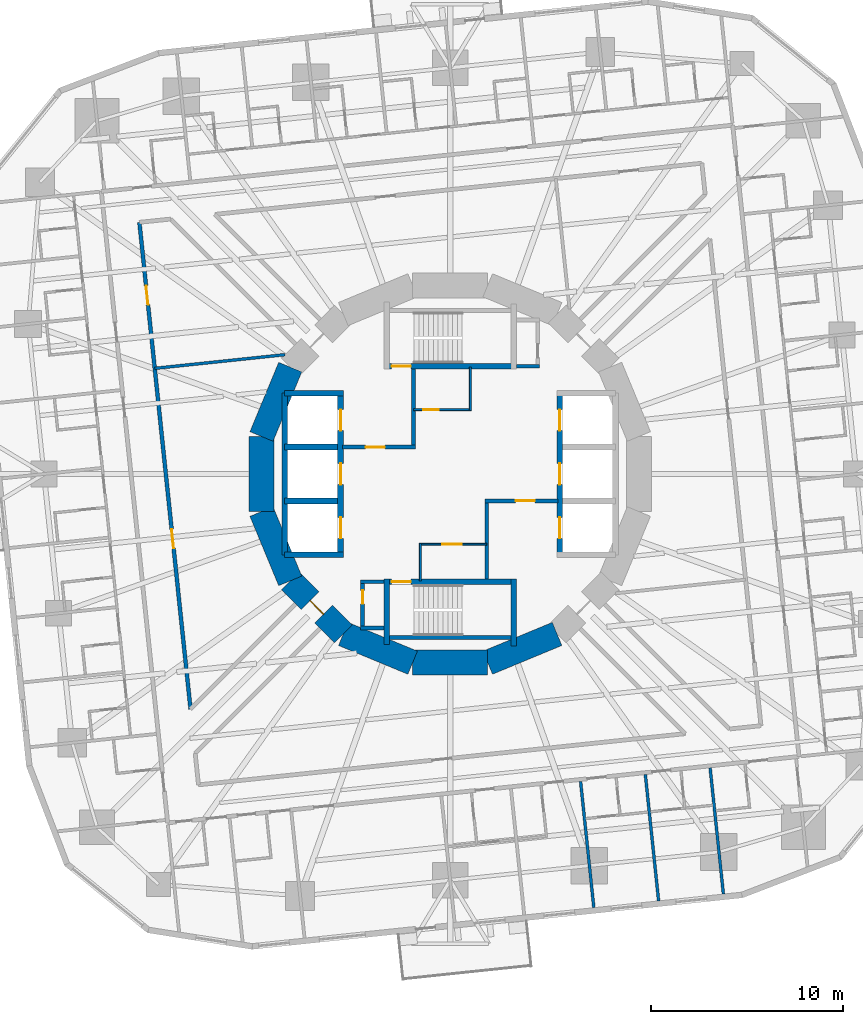
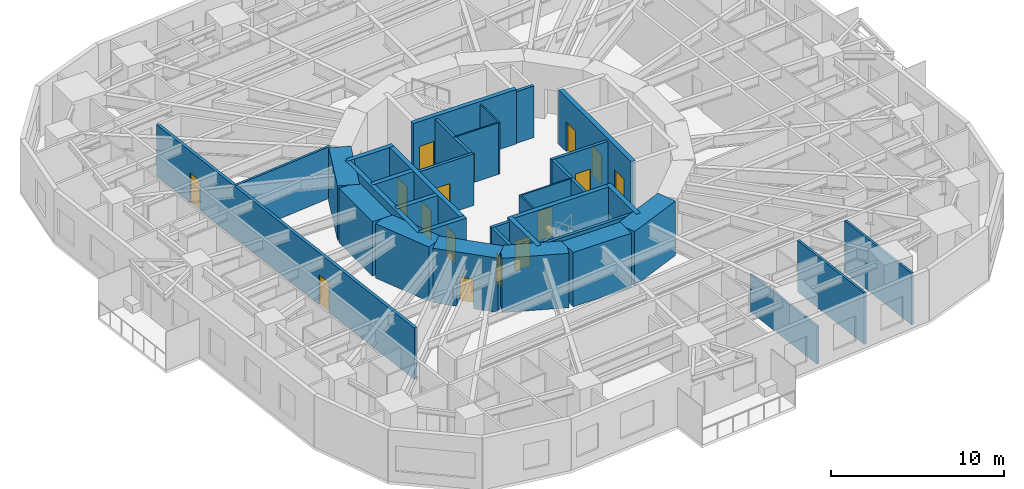
# One storey, part 7 of 15: 36 walls, 16 doors, 16 openings.
"""IFC4 building model written with IfcOpenShell, lengths in metres."""

from ifc_helpers import new_model, si_unit, direction, frame, frame_2d, origin, place, context, subcontext, project, spatial, rectangle, extrude, material, layer, layer_set, type_object, element, fill, save


model = new_model("IFC4")

# Units and contexts
model_context = context("Model", 3, precision=1e-05, world=origin(), true_north=direction((0.0, 1.0)))
body_context = subcontext(model_context, "Body", "Model", "MODEL_VIEW")
ifc_project = project(units=[si_unit("LENGTHUNIT", "METRE"), si_unit("AREAUNIT", "SQUARE_METRE"), si_unit("VOLUMEUNIT", "CUBIC_METRE"), si_unit("PLANEANGLEUNIT", "RADIAN"), si_unit("MASSUNIT", "GRAM", prefix="KILO")], contexts=[model_context])

# Site, building, storey
site_placement = place(None, origin())
site = spatial("IfcSite", under=ifc_project, at=site_placement, CompositionType="ELEMENT")
building_placement = place(site_placement, origin())
building = spatial("IfcBuilding", under=site, at=building_placement, Name="Nakasero Lantern House", CompositionType="ELEMENT")
storey_placement = place(building_placement, frame((0.0, 0.0, 72.050048828125)))
storey = spatial("IfcBuildingStorey", under=building, at=storey_placement, Name="L17", CompositionType="ELEMENT", Elevation=72.050048828125)

# Wall, openings, doors
ifc_material_1 = material(Name="Concrete C50/60", Category="concrete")
ifc_layer_1 = layer(ifc_material_1, 0.300048828125)
ifc_layer_set_1 = layer_set([ifc_layer_1], Name="Core inner wall 300")
wall_type_1 = type_object("IfcWallType", Name="Core inner wall 300", PredefinedType="SHEAR", material=ifc_layer_set_1)
wall_1_placement = place(storey_placement, frame((-5.699951171875, -4.199951171875, 0.0), z_axis=(0.0, 0.0, 1.0), x_axis=(0.0, 1.0, 0.0)))
wall_1 = element("IfcWall", 1, at=wall_1_placement, inside=storey, type_object=wall_type_1, Name="Core inner wall L17 LW", PredefinedType="SHEAR", context=body_context, shape_type="SweptSolid", body=[
    extrude(rectangle(XDim=8.39990234375, YDim=0.300048828125, at=frame_2d((4.199951171875, 0.0))), origin(), (0.0, 0.0, 1.0), 3.849853515625),
])
opening_1_placement = place(wall_1_placement, frame((0.85009765625, 0.0, 0.0)))
opening_1 = element("IfcOpeningElement", 2, at=opening_1_placement, cuts=wall_1, Name="Opening LD", PredefinedType="OPENING", context=body_context, shape_type="SweptSolid", body=[
    extrude(rectangle(XDim=1.10009765625, YDim=2.10009765625, at=frame_2d((0.550048828125, 1.050048828125))), frame((0.0, 0.169921875, 0.0), z_axis=(0.0, -1.0, 0.0), x_axis=(1.0, 0.0, 0.0)), (0.0, 0.0, 1.0), 0.340087890625),
])
opening_2_placement = place(wall_1_placement, frame((3.64990234375, 0.0, 0.0)))
opening_2 = element("IfcOpeningElement", 3, at=opening_2_placement, cuts=wall_1, Name="Opening LD", PredefinedType="OPENING", context=body_context, shape_type="SweptSolid", body=[
    extrude(rectangle(XDim=1.10009765625, YDim=2.10009765625, at=frame_2d((0.550048828125, 1.050048828125))), frame((0.0, 0.169921875, 0.0), z_axis=(0.0, -1.0, 0.0), x_axis=(1.0, 0.0, 0.0)), (0.0, 0.0, 1.0), 0.340087890625),
])
opening_3_placement = place(wall_1_placement, frame((6.449951171875, 0.0, 0.0)))
opening_3 = element("IfcOpeningElement", 4, at=opening_3_placement, cuts=wall_1, Name="Opening LD", PredefinedType="OPENING", context=body_context, shape_type="SweptSolid", body=[
    extrude(rectangle(XDim=1.10009765625, YDim=2.10009765625, at=frame_2d((0.550048828125, 1.050048828125))), frame((0.0, 0.169921875, 0.0), z_axis=(0.0, -1.0, 0.0), x_axis=(1.0, 0.0, 0.0)), (0.0, 0.0, 1.0), 0.340087890625),
])
ifc_material_2 = material(Name="Steel S355", Category="steel")
door_type_1 = type_object("IfcDoorType", Name="Lift landing door E120 1100", OperationType="SLIDING_TO_LEFT", PredefinedType="DOOR", material=ifc_material_2)
door_1_placement = place(opening_1_placement, origin())
door_1 = element("IfcDoor", 5, at=door_1_placement, inside=storey, type_object=door_type_1, Name="Lift landing door LW1", OperationType="SLIDING_TO_LEFT", OverallHeight=2.10009765625, OverallWidth=1.10009765625, PredefinedType="DOOR", context=body_context, shape_type="SweptSolid", body=[
    extrude(rectangle(XDim=1.10009765625, YDim=2.10009765625, at=frame_2d((0.550048828125, 1.050048828125))), frame((0.0, 0.02490234375, 0.0), z_axis=(0.0, -1.0, 0.0), x_axis=(1.0, 0.0, 0.0)), (0.0, 0.0, 1.0), 0.050048828125),
])
fill(opening_1, door_1)
door_2_placement = place(opening_2_placement, origin())
door_2 = element("IfcDoor", 6, at=door_2_placement, inside=storey, type_object=door_type_1, Name="Lift landing door LW2", OperationType="SLIDING_TO_LEFT", OverallHeight=2.10009765625, OverallWidth=1.10009765625, PredefinedType="DOOR", context=body_context, shape_type="SweptSolid", body=[
    extrude(rectangle(XDim=1.10009765625, YDim=2.10009765625, at=frame_2d((0.550048828125, 1.050048828125))), frame((0.0, 0.02490234375, 0.0), z_axis=(0.0, -1.0, 0.0), x_axis=(1.0, 0.0, 0.0)), (0.0, 0.0, 1.0), 0.050048828125),
])
fill(opening_2, door_2)
door_3_placement = place(opening_3_placement, origin())
door_3 = element("IfcDoor", 7, at=door_3_placement, inside=storey, type_object=door_type_1, Name="Lift landing door LW3", OperationType="SLIDING_TO_LEFT", OverallHeight=2.10009765625, OverallWidth=1.10009765625, PredefinedType="DOOR", context=body_context, shape_type="SweptSolid", body=[
    extrude(rectangle(XDim=1.10009765625, YDim=2.10009765625, at=frame_2d((0.550048828125, 1.050048828125))), frame((0.0, 0.02490234375, 0.0), z_axis=(0.0, -1.0, 0.0), x_axis=(1.0, 0.0, 0.0)), (0.0, 0.0, 1.0), 0.050048828125),
])
fill(opening_3, door_3)

wall_2_placement = place(storey_placement, frame((5.699951171875, -4.199951171875, 0.0), z_axis=(0.0, 0.0, 1.0), x_axis=(0.0, 1.0, 0.0)))
wall_2 = element("IfcWall", 8, at=wall_2_placement, inside=storey, type_object=wall_type_1, Name="Core inner wall L17 LE", PredefinedType="SHEAR", context=body_context, shape_type="SweptSolid", body=[
    extrude(rectangle(XDim=8.39990234375, YDim=0.300048828125, at=frame_2d((4.199951171875, 0.0))), origin(), (0.0, 0.0, 1.0), 3.849853515625),
])
opening_4_placement = place(wall_2_placement, frame((0.85009765625, 0.0, 0.0)))
opening_4 = element("IfcOpeningElement", 9, at=opening_4_placement, cuts=wall_2, Name="Opening LD", PredefinedType="OPENING", context=body_context, shape_type="SweptSolid", body=[
    extrude(rectangle(XDim=1.10009765625, YDim=2.10009765625, at=frame_2d((0.550048828125, 1.050048828125))), frame((0.0, 0.169921875, 0.0), z_axis=(0.0, -1.0, 0.0), x_axis=(1.0, 0.0, 0.0)), (0.0, 0.0, 1.0), 0.340087890625),
])
opening_5_placement = place(wall_2_placement, frame((3.64990234375, 0.0, 0.0)))
opening_5 = element("IfcOpeningElement", 10, at=opening_5_placement, cuts=wall_2, Name="Opening LD", PredefinedType="OPENING", context=body_context, shape_type="SweptSolid", body=[
    extrude(rectangle(XDim=1.10009765625, YDim=2.10009765625, at=frame_2d((0.550048828125, 1.050048828125))), frame((0.0, 0.169921875, 0.0), z_axis=(0.0, -1.0, 0.0), x_axis=(1.0, 0.0, 0.0)), (0.0, 0.0, 1.0), 0.340087890625),
])
opening_6_placement = place(wall_2_placement, frame((6.449951171875, 0.0, 0.0)))
opening_6 = element("IfcOpeningElement", 11, at=opening_6_placement, cuts=wall_2, Name="Opening LD", PredefinedType="OPENING", context=body_context, shape_type="SweptSolid", body=[
    extrude(rectangle(XDim=1.10009765625, YDim=2.10009765625, at=frame_2d((0.550048828125, 1.050048828125))), frame((0.0, 0.169921875, 0.0), z_axis=(0.0, -1.0, 0.0), x_axis=(1.0, 0.0, 0.0)), (0.0, 0.0, 1.0), 0.340087890625),
])
door_4_placement = place(opening_4_placement, origin())
door_4 = element("IfcDoor", 12, at=door_4_placement, inside=storey, type_object=door_type_1, Name="Lift landing door LE1", OperationType="SLIDING_TO_LEFT", OverallHeight=2.10009765625, OverallWidth=1.10009765625, PredefinedType="DOOR", context=body_context, shape_type="SweptSolid", body=[
    extrude(rectangle(XDim=1.10009765625, YDim=2.10009765625, at=frame_2d((0.550048828125, 1.050048828125))), frame((0.0, 0.02490234375, 0.0), z_axis=(0.0, -1.0, 0.0), x_axis=(1.0, 0.0, 0.0)), (0.0, 0.0, 1.0), 0.050048828125),
])
fill(opening_4, door_4)
door_5_placement = place(opening_5_placement, origin())
door_5 = element("IfcDoor", 13, at=door_5_placement, inside=storey, type_object=door_type_1, Name="Lift landing door LE2", OperationType="SLIDING_TO_LEFT", OverallHeight=2.10009765625, OverallWidth=1.10009765625, PredefinedType="DOOR", context=body_context, shape_type="SweptSolid", body=[
    extrude(rectangle(XDim=1.10009765625, YDim=2.10009765625, at=frame_2d((0.550048828125, 1.050048828125))), frame((0.0, 0.02490234375, 0.0), z_axis=(0.0, -1.0, 0.0), x_axis=(1.0, 0.0, 0.0)), (0.0, 0.0, 1.0), 0.050048828125),
])
fill(opening_5, door_5)
door_6_placement = place(opening_6_placement, origin())
door_6 = element("IfcDoor", 14, at=door_6_placement, inside=storey, type_object=door_type_1, Name="Lift landing door LE3", OperationType="SLIDING_TO_LEFT", OverallHeight=2.10009765625, OverallWidth=1.10009765625, PredefinedType="DOOR", context=body_context, shape_type="SweptSolid", body=[
    extrude(rectangle(XDim=1.10009765625, YDim=2.10009765625, at=frame_2d((0.550048828125, 1.050048828125))), frame((0.0, 0.02490234375, 0.0), z_axis=(0.0, -1.0, 0.0), x_axis=(1.0, 0.0, 0.0)), (0.0, 0.0, 1.0), 0.050048828125),
])
fill(opening_6, door_6)

# Walls
for number, where, z_axis, x_axis, name in (
    (15, (-8.60009765625, 4.199951171875, 0.0), (0.0, 0.0, 1.0), (1.0, 0.0, 0.0), "Core inner wall L17 LWN"),
    (16, (-8.60009765625, -4.199951171875, 0.0), (0.0, 0.0, 1.0), (1.0, 0.0, 0.0), "Core inner wall L17 LWS"),
):
    element("IfcWall", number, at=place(storey_placement, frame(where, z_axis=z_axis, x_axis=x_axis)), inside=storey, type_object=wall_type_1, Name=name, PredefinedType="SHEAR", context=body_context, shape_type="SweptSolid", body=[
        extrude(rectangle(XDim=3.050048828125, YDim=0.300048828125, at=frame_2d((1.52490234375, 0.0))), origin(), (0.0, 0.0, 1.0), 3.849853515625),
    ])
wall_3_placement = place(storey_placement, frame((-8.60009765625, -4.199951171875, 0.0), z_axis=(0.0, 0.0, 1.0), x_axis=(0.0, 1.0, 0.0)))
element("IfcWall", 17, at=wall_3_placement, inside=storey, type_object=wall_type_1, Name="Core inner wall L17 LWB", PredefinedType="SHEAR", context=body_context, shape_type="SweptSolid", body=[
    extrude(rectangle(XDim=8.39990234375, YDim=0.300048828125, at=frame_2d((4.199951171875, 0.0))), origin(), (0.0, 0.0, 1.0), 3.849853515625),
])
for number, where, z_axis, x_axis, name in (
    (18, (-8.60009765625, -1.39990234375, 0.0), (0.0, 0.0, 1.0), (1.0, 0.0, 0.0), "Core inner wall L17 LW1"),
    (19, (-8.60009765625, 1.39990234375, 0.0), (0.0, 0.0, 1.0), (1.0, 0.0, 0.0), "Core inner wall L17 LW2"),
):
    element("IfcWall", number, at=place(storey_placement, frame(where, z_axis=z_axis, x_axis=x_axis)), inside=storey, type_object=wall_type_1, Name=name, PredefinedType="SHEAR", context=body_context, shape_type="SweptSolid", body=[
        extrude(rectangle(XDim=2.75, YDim=0.300048828125, at=frame_2d((1.375, 0.0))), origin(), (0.0, 0.0, 1.0), 3.849853515625),
    ])

# Wall, opening, door
wall_4_placement = place(storey_placement, frame((-3.449951171875, 5.60009765625, 0.0), z_axis=(0.0, 0.0, 1.0), x_axis=(1.0, 0.0, 0.0)))
wall_4 = element("IfcWall", 20, at=wall_4_placement, inside=storey, type_object=wall_type_1, Name="Core inner wall L17 SN", PredefinedType="SHEAR", context=body_context, shape_type="SweptSolid", body=[
    extrude(rectangle(XDim=6.89990234375, YDim=0.300048828125, at=frame_2d((3.449951171875, 0.0))), origin(), (0.0, 0.0, 1.0), 3.849853515625),
])
opening_7_placement = place(wall_4_placement, frame((0.39990234375, 0.0, 0.0)))
opening_7 = element("IfcOpeningElement", 21, at=opening_7_placement, cuts=wall_4, Name="Opening D05", PredefinedType="OPENING", context=body_context, shape_type="SweptSolid", body=[
    extrude(rectangle(XDim=1.0, YDim=2.10009765625, at=frame_2d((0.5, 1.050048828125))), frame((0.0, 0.169921875, 0.0), z_axis=(0.0, -1.0, 0.0), x_axis=(1.0, 0.0, 0.0)), (0.0, 0.0, 1.0), 0.340087890625),
])
ifc_material_3 = material(Name="Timber C24", Category="wood")
door_type_2 = type_object("IfcDoorType", Name="Core door FD60S 1000", OperationType="SINGLE_SWING_LEFT", PredefinedType="DOOR", material=ifc_material_3)
door_7_placement = place(opening_7_placement, origin())
door_7 = element("IfcDoor", 22, at=door_7_placement, inside=storey, type_object=door_type_2, Name="Door L17 D-ST1", OperationType="SINGLE_SWING_LEFT", OverallHeight=2.10009765625, OverallWidth=1.0, PredefinedType="DOOR", context=body_context, shape_type="SweptSolid", body=[
    extrude(rectangle(XDim=1.0, YDim=2.10009765625, at=frame_2d((0.5, 1.050048828125))), frame((0.0, 0.02490234375, 0.0), z_axis=(0.0, -1.0, 0.0), x_axis=(1.0, 0.0, 0.0)), (0.0, 0.0, 1.0), 0.050048828125),
])
fill(opening_7, door_7)

wall_5_placement = place(storey_placement, frame((-3.449951171875, -5.60009765625, 0.0), z_axis=(0.0, 0.0, 1.0), x_axis=(1.0, 0.0, 0.0)))
wall_5 = element("IfcWall", 23, at=wall_5_placement, inside=storey, type_object=wall_type_1, Name="Core inner wall L17 SS", PredefinedType="SHEAR", context=body_context, shape_type="SweptSolid", body=[
    extrude(rectangle(XDim=6.89990234375, YDim=0.300048828125, at=frame_2d((3.449951171875, 0.0))), origin(), (0.0, 0.0, 1.0), 3.849853515625),
])
opening_8_placement = place(wall_5_placement, frame((0.39990234375, 0.0, 0.0)))
opening_8 = element("IfcOpeningElement", 24, at=opening_8_placement, cuts=wall_5, Name="Opening D05", PredefinedType="OPENING", context=body_context, shape_type="SweptSolid", body=[
    extrude(rectangle(XDim=1.0, YDim=2.10009765625, at=frame_2d((0.5, 1.050048828125))), frame((0.0, 0.169921875, 0.0), z_axis=(0.0, -1.0, 0.0), x_axis=(1.0, 0.0, 0.0)), (0.0, 0.0, 1.0), 0.340087890625),
])
door_8_placement = place(opening_8_placement, origin())
door_8 = element("IfcDoor", 25, at=door_8_placement, inside=storey, type_object=door_type_2, Name="Door L17 D-ST2", OperationType="SINGLE_SWING_LEFT", OverallHeight=2.10009765625, OverallWidth=1.0, PredefinedType="DOOR", context=body_context, shape_type="SweptSolid", body=[
    extrude(rectangle(XDim=1.0, YDim=2.10009765625, at=frame_2d((0.5, 1.050048828125))), frame((0.0, 0.02490234375, 0.0), z_axis=(0.0, -1.0, 0.0), x_axis=(1.0, 0.0, 0.0)), (0.0, 0.0, 1.0), 0.050048828125),
])
fill(opening_8, door_8)

# Walls
wall_6_placement = place(storey_placement, frame((-3.300048828125, -5.449951171875, 0.0), z_axis=(0.0, 0.0, 1.0), x_axis=(0.0, -1.0, 0.0)))
element("IfcWall", 26, at=wall_6_placement, inside=storey, type_object=wall_type_1, Name="Core inner wall L17 SSW", PredefinedType="SHEAR", context=body_context, shape_type="SweptSolid", body=[
    extrude(rectangle(XDim=3.400146484375, YDim=0.300048828125, at=frame_2d((1.7001953125, 0.0))), origin(), (0.0, 0.0, 1.0), 3.849853515625),
])
wall_7_placement = place(storey_placement, frame((3.300048828125, -5.449951171875, 0.0), z_axis=(0.0, 0.0, 1.0), x_axis=(0.0, -1.0, 0.0)))
element("IfcWall", 27, at=wall_7_placement, inside=storey, type_object=wall_type_1, Name="Core inner wall L17 SSE", PredefinedType="SHEAR", context=body_context, shape_type="SweptSolid", body=[
    extrude(rectangle(XDim=3.5, YDim=0.300048828125, at=frame_2d((1.75, 0.0))), origin(), (0.0, 0.0, 1.0), 3.849853515625),
])

# Wall, opening, door
ifc_material_4 = material(Name="Blockwork", Category="masonry")
ifc_layer_2 = layer(ifc_material_4, 0.10009765625)
ifc_layer_set_2 = layer_set([ifc_layer_2], Name="Core room wall 100")
wall_type_2 = type_object("IfcWallType", Name="Core room wall 100", PredefinedType="PARTITIONING", material=ifc_layer_set_2)
wall_8_placement = place(storey_placement, frame((-1.89990234375, 3.35009765625, 0.0), z_axis=(0.0, 0.0, 1.0), x_axis=(1.0, 0.0, 0.0)))
wall_8 = element("IfcWall", 28, at=wall_8_placement, inside=storey, type_object=wall_type_2, Name="Core room wall L17 CR-NES", PredefinedType="PARTITIONING", context=body_context, shape_type="SweptSolid", body=[
    extrude(rectangle(XDim=3.0, YDim=0.10009765625, at=frame_2d((1.5, 0.0))), origin(), (0.0, 0.0, 1.0), 3.64990234375),
])
opening_9_placement = place(wall_8_placement, frame((0.5, 0.0, 0.0)))
opening_9 = element("IfcOpeningElement", 29, at=opening_9_placement, cuts=wall_8, Name="Opening D15", PredefinedType="OPENING", context=body_context, shape_type="SweptSolid", body=[
    extrude(rectangle(XDim=0.800048828125, YDim=2.10009765625, at=frame_2d((0.39990234375, 1.050048828125))), frame((0.0, 0.070068359375, 0.0), z_axis=(0.0, -1.0, 0.0), x_axis=(1.0, 0.0, 0.0)), (0.0, 0.0, 1.0), 0.14013671875),
])
ifc_material_5 = material(Name="Timber C24", Category="wood")
door_type_3 = type_object("IfcDoorType", Name="Cleaner's store door FD30S 800", OperationType="SINGLE_SWING_LEFT", PredefinedType="DOOR", material=ifc_material_5)
door_9_placement = place(opening_9_placement, origin())
door_9 = element("IfcDoor", 30, at=door_9_placement, inside=storey, type_object=door_type_3, Name="Door L17 D-CR-NE", OperationType="SINGLE_SWING_LEFT", OverallHeight=2.10009765625, OverallWidth=0.800048828125, PredefinedType="DOOR", context=body_context, shape_type="SweptSolid", body=[
    extrude(rectangle(XDim=0.800048828125, YDim=2.10009765625, at=frame_2d((0.39990234375, 1.050048828125))), frame((0.0, 0.02490234375, 0.0), z_axis=(0.0, -1.0, 0.0), x_axis=(1.0, 0.0, 0.0)), (0.0, 0.0, 1.0), 0.050048828125),
])
fill(opening_9, door_9)

# Wall
wall_9_placement = place(storey_placement, frame((1.050048828125, 3.300048828125, 0.0), z_axis=(0.0, 0.0, 1.0), x_axis=(0.0, 1.0, 0.0)))
element("IfcWall", 31, at=wall_9_placement, inside=storey, type_object=wall_type_2, Name="Core room wall L17 CR-NEE", PredefinedType="PARTITIONING", context=body_context, shape_type="SweptSolid", body=[
    extrude(rectangle(XDim=2.25, YDim=0.10009765625, at=frame_2d((1.125, 0.0))), origin(), (0.0, 0.0, 1.0), 3.64990234375),
])

# Wall, opening, door
wall_10_placement = place(storey_placement, frame((-1.60009765625, -3.64990234375, 0.0), z_axis=(0.0, 0.0, 1.0), x_axis=(1.0, 0.0, 0.0)))
wall_10 = element("IfcWall", 32, at=wall_10_placement, inside=storey, type_object=wall_type_2, Name="Core room wall L17 CR-SWN", PredefinedType="PARTITIONING", context=body_context, shape_type="SweptSolid", body=[
    extrude(rectangle(XDim=3.5, YDim=0.10009765625, at=frame_2d((1.75, 0.0))), origin(), (0.0, 0.0, 1.0), 3.64990234375),
])
opening_10_placement = place(wall_10_placement, frame((1.199951171875, 0.0, 0.0)))
opening_10 = element("IfcOpeningElement", 33, at=opening_10_placement, cuts=wall_10, Name="Opening D07", PredefinedType="OPENING", context=body_context, shape_type="SweptSolid", body=[
    extrude(rectangle(XDim=1.0, YDim=2.10009765625, at=frame_2d((0.5, 1.050048828125))), frame((0.0, 0.070068359375, 0.0), z_axis=(0.0, -1.0, 0.0), x_axis=(1.0, 0.0, 0.0)), (0.0, 0.0, 1.0), 0.14013671875),
])
ifc_material_6 = material(Name="Timber C24", Category="wood")
door_type_4 = type_object("IfcDoorType", Name="Room door FD30S 1000", OperationType="SINGLE_SWING_LEFT", PredefinedType="DOOR", material=ifc_material_6)
door_10_placement = place(opening_10_placement, origin())
door_10 = element("IfcDoor", 34, at=door_10_placement, inside=storey, type_object=door_type_4, Name="Door L17 D-CR-SW", OperationType="SINGLE_SWING_LEFT", OverallHeight=2.10009765625, OverallWidth=1.0, PredefinedType="DOOR", context=body_context, shape_type="SweptSolid", body=[
    extrude(rectangle(XDim=1.0, YDim=2.10009765625, at=frame_2d((0.5, 1.050048828125))), frame((0.0, 0.02490234375, 0.0), z_axis=(0.0, -1.0, 0.0), x_axis=(1.0, 0.0, 0.0)), (0.0, 0.0, 1.0), 0.050048828125),
])
fill(opening_10, door_10)

# Walls
wall_11_placement = place(storey_placement, frame((-1.550048828125, -5.550048828125, 0.0), z_axis=(0.0, 0.0, 1.0), x_axis=(0.0, 1.0, 0.0)))
element("IfcWall", 35, at=wall_11_placement, inside=storey, type_object=wall_type_2, Name="Core room wall L17 CR-SWW", PredefinedType="PARTITIONING", context=body_context, shape_type="SweptSolid", body=[
    extrude(rectangle(XDim=1.949951171875, YDim=0.10009765625, at=frame_2d((0.97509765625, 0.0))), origin(), (0.0, 0.0, 1.0), 3.64990234375),
])
ifc_material_7 = material(Name="Concrete C50/60", Category="concrete")
ifc_layer_3 = layer(ifc_material_7, 1.300048828125)
ifc_layer_set_3 = layer_set([ifc_layer_3], Name="Core wall 1300")
wall_type_3 = type_object("IfcWallType", Name="Core wall 1300", PredefinedType="SHEAR", material=ifc_layer_set_3)
for number, where, z_axis, x_axis, name in (
    (36, (-8.314697265625, 5.5556640625, 0.0), (0.0, 0.0, 1.0), (-0.382690736062, -0.923876507187, 0.0), "Core wall L17 facet 7"),
    (37, (-9.807861328125, 1.950927734375, 0.0), (0.0, 0.0, 1.0), (0.0, -1.0, 0.0), "Core wall L17 facet 8"),
    (38, (-9.807861328125, -1.950927734375, 0.0), (0.0, 0.0, 1.0), (0.382690736062, -0.923876507187, 0.0), "Core wall L17 facet 9"),
):
    element("IfcWall", number, at=place(storey_placement, frame(where, z_axis=z_axis, x_axis=x_axis)), inside=storey, type_object=wall_type_3, Name=name, PredefinedType="SHEAR", context=body_context, shape_type="SweptSolid", body=[
        extrude(rectangle(XDim=3.90185546875, YDim=1.300048828125, at=frame_2d((1.950927734375, 0.0))), origin(), (0.0, 0.0, 1.0), 3.849853515625),
    ])

# Wall, opening, door
wall_12_placement = place(storey_placement, frame((-8.314697265625, -5.5556640625, 0.0), z_axis=(0.0, 0.0, 1.0), x_axis=(0.707106781187, -0.707106781187, 0.0)))
wall_12 = element("IfcWall", 39, at=wall_12_placement, inside=storey, type_object=wall_type_3, Name="Core wall L17 facet 10", PredefinedType="SHEAR", context=body_context, shape_type="SweptSolid", body=[
    extrude(rectangle(XDim=3.90185546875, YDim=1.300048828125, at=frame_2d((1.950927734375, 0.0))), origin(), (0.0, 0.0, 1.0), 3.849853515625),
])
opening_11_placement = place(wall_12_placement, frame((1.450927734375, 0.0, 0.0)))
opening_11 = element("IfcOpeningElement", 40, at=opening_11_placement, cuts=wall_12, Name="Opening D05", PredefinedType="OPENING", context=body_context, shape_type="SweptSolid", body=[
    extrude(rectangle(XDim=1.0, YDim=2.10009765625, at=frame_2d((0.5, 1.050048828125))), frame((0.0, 0.669921875, 0.0), z_axis=(0.0, -1.0, 0.0), x_axis=(1.0, 0.0, 0.0)), (0.0, 0.0, 1.0), 1.340087890625),
])
door_11_placement = place(opening_11_placement, origin())
door_11 = element("IfcDoor", 41, at=door_11_placement, inside=storey, type_object=door_type_2, Name="Door L17 D-CORE10", OperationType="SINGLE_SWING_LEFT", OverallHeight=2.10009765625, OverallWidth=1.0, PredefinedType="DOOR", context=body_context, shape_type="SweptSolid", body=[
    extrude(rectangle(XDim=1.0, YDim=2.10009765625, at=frame_2d((0.5, 1.050048828125))), frame((0.0, 0.02490234375, 0.0), z_axis=(0.0, -1.0, 0.0), x_axis=(1.0, 0.0, 0.0)), (0.0, 0.0, 1.0), 0.050048828125),
])
fill(opening_11, door_11)

# Walls
for number, where, z_axis, x_axis, name in (
    (42, (-5.5556640625, -8.314697265625, 0.0), (0.0, 0.0, 1.0), (0.923876507187, -0.382690736062, 0.0), "Core wall L17 facet 11"),
    (43, (-1.950927734375, -9.807861328125, 0.0), (0.0, 0.0, 1.0), (1.0, 0.0, 0.0), "Core wall L17 facet 12"),
    (44, (1.950927734375, -9.807861328125, 0.0), (0.0, 0.0, 1.0), (0.923876507187, 0.382690736062, 0.0), "Core wall L17 facet 13"),
):
    element("IfcWall", number, at=place(storey_placement, frame(where, z_axis=z_axis, x_axis=x_axis)), inside=storey, type_object=wall_type_3, Name=name, PredefinedType="SHEAR", context=body_context, shape_type="SweptSolid", body=[
        extrude(rectangle(XDim=3.90185546875, YDim=1.300048828125, at=frame_2d((1.950927734375, 0.0))), origin(), (0.0, 0.0, 1.0), 3.849853515625),
    ])

# Wall, openings, doors
ifc_material_8 = material(Name="Blockwork", Category="masonry")
ifc_layer_4 = layer(ifc_material_8, 0.199951171875)
ifc_layer_set_4 = layer_set([ifc_layer_4], Name="Corridor wall 200")
wall_type_4 = type_object("IfcWallType", Name="Corridor wall 200", PredefinedType="PARTITIONING", material=ifc_layer_set_4)
wall_13_placement = place(storey_placement, frame((-16.156005859375, 13.0830078125, 0.0), z_axis=(0.0, 0.0, 1.0), x_axis=(0.104522963916, -0.994522473358, 0.0)))
wall_13 = element("IfcWall", 45, at=wall_13_placement, inside=storey, type_object=wall_type_4, Name="Corridor wall L17 IW2-0", PredefinedType="PARTITIONING", context=body_context, shape_type="SweptSolid", body=[
    extrude(rectangle(XDim=25.44580078125, YDim=0.199951171875, at=frame_2d((12.722900390625, 0.0))), origin(), (0.0, 0.0, 1.0), 3.64990234375),
])
opening_12_placement = place(wall_13_placement, frame((3.31689453125, 0.0, 0.0)))
opening_12 = element("IfcOpeningElement", 46, at=opening_12_placement, cuts=wall_13, Name="Opening D07", PredefinedType="OPENING", context=body_context, shape_type="SweptSolid", body=[
    extrude(rectangle(XDim=1.0, YDim=2.10009765625, at=frame_2d((0.5, 1.050048828125))), frame((0.0, 0.119873046875, 0.0), z_axis=(0.0, -1.0, 0.0), x_axis=(1.0, 0.0, 0.0)), (0.0, 0.0, 1.0), 0.239990234375),
])
opening_13_placement = place(wall_13_placement, frame((16.039794921875, 0.0, 0.0)))
opening_13 = element("IfcOpeningElement", 47, at=opening_13_placement, cuts=wall_13, Name="Opening D07", PredefinedType="OPENING", context=body_context, shape_type="SweptSolid", body=[
    extrude(rectangle(XDim=1.0, YDim=2.10009765625, at=frame_2d((0.5, 1.050048828125))), frame((0.0, 0.119873046875, 0.0), z_axis=(0.0, -1.0, 0.0), x_axis=(1.0, 0.0, 0.0)), (0.0, 0.0, 1.0), 0.239990234375),
])
door_12_placement = place(opening_12_placement, origin())
door_12 = element("IfcDoor", 48, at=door_12_placement, inside=storey, type_object=door_type_4, Name="Door L17 DI4", OperationType="SINGLE_SWING_LEFT", OverallHeight=2.10009765625, OverallWidth=1.0, PredefinedType="DOOR", context=body_context, shape_type="SweptSolid", body=[
    extrude(rectangle(XDim=1.0, YDim=2.10009765625, at=frame_2d((0.5, 1.050048828125))), frame((0.0, 0.02490234375, 0.0), z_axis=(0.0, -1.0, 0.0), x_axis=(1.0, 0.0, 0.0)), (0.0, 0.0, 1.0), 0.050048828125),
])
fill(opening_12, door_12)
door_13_placement = place(opening_13_placement, origin())
door_13 = element("IfcDoor", 49, at=door_13_placement, inside=storey, type_object=door_type_4, Name="Door L17 DI4S", OperationType="SINGLE_SWING_RIGHT", OverallHeight=2.10009765625, OverallWidth=1.0, PredefinedType="DOOR", context=body_context, shape_type="SweptSolid", body=[
    extrude(rectangle(XDim=1.0, YDim=2.10009765625, at=frame_2d((0.5, 1.050048828125))), frame((0.0, 0.02490234375, 0.0), z_axis=(0.0, -1.0, 0.0), x_axis=(1.0, 0.0, 0.0)), (0.0, 0.0, 1.0), 0.050048828125),
])
fill(opening_13, door_13)

# Wall, opening, door
ifc_material_9 = material(Name="Blockwork", Category="masonry")
ifc_layer_5 = layer(ifc_material_9, 0.199951171875)
ifc_layer_set_5 = layer_set([ifc_layer_5], Name="Fire lobby wall 200")
wall_type_5 = type_object("IfcWallType", Name="Fire lobby wall 200", PredefinedType="PARTITIONING", material=ifc_layer_set_5)
wall_14_placement = place(storey_placement, frame((-5.60009765625, 1.39990234375, 0.0), z_axis=(0.0, 0.0, 1.0), x_axis=(1.0, 0.0, 0.0)))
wall_14 = element("IfcWall", 50, at=wall_14_placement, inside=storey, type_object=wall_type_5, Name="Fire lobby wall L17 W-FL1S", PredefinedType="PARTITIONING", context=body_context, shape_type="SweptSolid", body=[
    extrude(rectangle(XDim=3.800048828125, YDim=0.199951171875, at=frame_2d((1.89990234375, 0.0))), origin(), (0.0, 0.0, 1.0), 3.64990234375),
])
opening_14_placement = place(wall_14_placement, frame((1.199951171875, 0.0, 0.0)))
opening_14 = element("IfcOpeningElement", 51, at=opening_14_placement, cuts=wall_14, Name="Opening D05", PredefinedType="OPENING", context=body_context, shape_type="SweptSolid", body=[
    extrude(rectangle(XDim=1.0, YDim=2.10009765625, at=frame_2d((0.5, 1.050048828125))), frame((0.0, 0.119873046875, 0.0), z_axis=(0.0, -1.0, 0.0), x_axis=(1.0, 0.0, 0.0)), (0.0, 0.0, 1.0), 0.239990234375),
])
door_14_placement = place(opening_14_placement, origin())
door_14 = element("IfcDoor", 52, at=door_14_placement, inside=storey, type_object=door_type_2, Name="Door L17 D-FL1", OperationType="SINGLE_SWING_LEFT", OverallHeight=2.10009765625, OverallWidth=1.0, PredefinedType="DOOR", context=body_context, shape_type="SweptSolid", body=[
    extrude(rectangle(XDim=1.0, YDim=2.10009765625, at=frame_2d((0.5, 1.050048828125))), frame((0.0, 0.02490234375, 0.0), z_axis=(0.0, -1.0, 0.0), x_axis=(1.0, 0.0, 0.0)), (0.0, 0.0, 1.0), 0.050048828125),
])
fill(opening_14, door_14)

# Wall
wall_15_placement = place(storey_placement, frame((-1.89990234375, 1.5, 0.0), z_axis=(0.0, 0.0, 1.0), x_axis=(0.0, 1.0, 0.0)))
element("IfcWall", 53, at=wall_15_placement, inside=storey, type_object=wall_type_5, Name="Fire lobby wall L17 W-FL1E", PredefinedType="PARTITIONING", context=body_context, shape_type="SweptSolid", body=[
    extrude(rectangle(XDim=3.949951171875, YDim=0.199951171875, at=frame_2d((1.97509765625, 0.0))), origin(), (0.0, 0.0, 1.0), 3.64990234375),
])

# Wall, opening, door
wall_16_placement = place(storey_placement, frame((5.60009765625, -1.39990234375, 0.0), z_axis=(0.0, 0.0, 1.0), x_axis=(-1.0, 0.0, 0.0)))
wall_16 = element("IfcWall", 54, at=wall_16_placement, inside=storey, type_object=wall_type_5, Name="Fire lobby wall L17 W-FL2N", PredefinedType="PARTITIONING", context=body_context, shape_type="SweptSolid", body=[
    extrude(rectangle(XDim=3.800048828125, YDim=0.199951171875, at=frame_2d((1.89990234375, 0.0))), origin(), (0.0, 0.0, 1.0), 3.64990234375),
])
opening_15_placement = place(wall_16_placement, frame((1.199951171875, 0.0, 0.0)))
opening_15 = element("IfcOpeningElement", 55, at=opening_15_placement, cuts=wall_16, Name="Opening D05", PredefinedType="OPENING", context=body_context, shape_type="SweptSolid", body=[
    extrude(rectangle(XDim=1.0, YDim=2.10009765625, at=frame_2d((0.5, 1.050048828125))), frame((0.0, 0.119873046875, 0.0), z_axis=(0.0, -1.0, 0.0), x_axis=(1.0, 0.0, 0.0)), (0.0, 0.0, 1.0), 0.239990234375),
])
door_15_placement = place(opening_15_placement, origin())
door_15 = element("IfcDoor", 56, at=door_15_placement, inside=storey, type_object=door_type_2, Name="Door L17 D-FL2", OperationType="SINGLE_SWING_LEFT", OverallHeight=2.10009765625, OverallWidth=1.0, PredefinedType="DOOR", context=body_context, shape_type="SweptSolid", body=[
    extrude(rectangle(XDim=1.0, YDim=2.10009765625, at=frame_2d((0.5, 1.050048828125))), frame((0.0, 0.02490234375, 0.0), z_axis=(0.0, -1.0, 0.0), x_axis=(1.0, 0.0, 0.0)), (0.0, 0.0, 1.0), 0.050048828125),
])
fill(opening_15, door_15)

# Walls
wall_17_placement = place(storey_placement, frame((1.89990234375, -1.5, 0.0), z_axis=(0.0, 0.0, 1.0), x_axis=(0.0, -1.0, 0.0)))
element("IfcWall", 57, at=wall_17_placement, inside=storey, type_object=wall_type_5, Name="Fire lobby wall L17 W-FL2W", PredefinedType="PARTITIONING", context=body_context, shape_type="SweptSolid", body=[
    extrude(rectangle(XDim=3.949951171875, YDim=0.199951171875, at=frame_2d((1.97509765625, 0.0))), origin(), (0.0, 0.0, 1.0), 3.64990234375),
])
wall_18_placement = place(storey_placement, frame((3.449951171875, 5.60009765625, 0.0), z_axis=(0.0, 0.0, 1.0), x_axis=(1.0, 0.0, 0.0)))
element("IfcWall", 58, at=wall_18_placement, inside=storey, type_object=wall_type_5, Name="Fire lobby wall L17 W-RS1S", PredefinedType="PARTITIONING", context=body_context, shape_type="SweptSolid", body=[
    extrude(rectangle(XDim=1.199951171875, YDim=0.199951171875, at=frame_2d((0.60009765625, 0.0))), origin(), (0.0, 0.0, 1.0), 3.64990234375),
])

# Wall, opening, door
wall_19_placement = place(storey_placement, frame((-4.550048828125, -5.60009765625, 0.0), z_axis=(0.0, 0.0, 1.0), x_axis=(0.0, -1.0, 0.0)))
wall_19 = element("IfcWall", 59, at=wall_19_placement, inside=storey, type_object=wall_type_5, Name="Fire lobby wall L17 W-RS2W", PredefinedType="PARTITIONING", context=body_context, shape_type="SweptSolid", body=[
    extrude(rectangle(XDim=2.39990234375, YDim=0.199951171875, at=frame_2d((1.199951171875, 0.0))), origin(), (0.0, 0.0, 1.0), 3.64990234375),
])
opening_16_placement = place(wall_19_placement, frame((0.449951171875, 0.0, 0.0)))
opening_16 = element("IfcOpeningElement", 60, at=opening_16_placement, cuts=wall_19, Name="Opening D06", PredefinedType="OPENING", context=body_context, shape_type="SweptSolid", body=[
    extrude(rectangle(XDim=0.699951171875, YDim=2.10009765625, at=frame_2d((0.35009765625, 1.050048828125))), frame((0.0, 0.119873046875, 0.0), z_axis=(0.0, -1.0, 0.0), x_axis=(1.0, 0.0, 0.0)), (0.0, 0.0, 1.0), 0.239990234375),
])
ifc_material_10 = material(Name="Steel S355", Category="steel")
door_type_5 = type_object("IfcDoorType", Name="Riser door FD60 700", OperationType="SINGLE_SWING_LEFT", PredefinedType="DOOR", material=ifc_material_10)
door_16_placement = place(opening_16_placement, origin())
door_16 = element("IfcDoor", 61, at=door_16_placement, inside=storey, type_object=door_type_5, Name="Door L17 D-RS2", OperationType="SINGLE_SWING_LEFT", OverallHeight=2.10009765625, OverallWidth=0.699951171875, PredefinedType="DOOR", context=body_context, shape_type="SweptSolid", body=[
    extrude(rectangle(XDim=0.699951171875, YDim=2.10009765625, at=frame_2d((0.35009765625, 1.050048828125))), frame((0.0, 0.02490234375, 0.0), z_axis=(0.0, -1.0, 0.0), x_axis=(1.0, 0.0, 0.0)), (0.0, 0.0, 1.0), 0.050048828125),
])
fill(opening_16, door_16)

# Walls
for number, where, z_axis, x_axis, name in (
    (62, (-3.449951171875, -8.0, 0.0), (0.0, 0.0, 1.0), (-1.0, 0.0, 0.0), "Fire lobby wall L17 W-RS2S"),
    (63, (-3.449951171875, -5.60009765625, 0.0), (0.0, 0.0, 1.0), (-1.0, 0.0, 0.0), "Fire lobby wall L17 W-RS2N"),
):
    element("IfcWall", number, at=place(storey_placement, frame(where, z_axis=z_axis, x_axis=x_axis)), inside=storey, type_object=wall_type_5, Name=name, PredefinedType="PARTITIONING", context=body_context, shape_type="SweptSolid", body=[
        extrude(rectangle(XDim=1.199951171875, YDim=0.199951171875, at=frame_2d((0.60009765625, 0.0))), origin(), (0.0, 0.0, 1.0), 3.64990234375),
    ])
wall_20_placement = place(storey_placement, frame((-3.300048828125, -8.5, 0.0), z_axis=(0.0, 0.0, 1.0), x_axis=(1.0, 0.0, 0.0)))
element("IfcWall", 64, at=wall_20_placement, inside=storey, type_object=wall_type_5, Name="Fire lobby wall L17 W-STS", PredefinedType="PARTITIONING", context=body_context, shape_type="SweptSolid", body=[
    extrude(rectangle(XDim=6.60009765625, YDim=0.199951171875, at=frame_2d((3.300048828125, 0.0))), origin(), (0.0, 0.0, 1.0), 3.64990234375),
])
ifc_material_11 = material(Name="Blockwork", Category="masonry")
ifc_layer_6 = layer(ifc_material_11, 0.14990234375)
ifc_layer_set_6 = layer_set([ifc_layer_6], Name="Party wall 150")
wall_type_6 = type_object("IfcWallType", Name="Party wall 150", PredefinedType="PARTITIONING", material=ifc_layer_set_6)
wall_21_placement = place(storey_placement, frame((6.77734375, -15.97900390625, 0.0), z_axis=(0.0, 0.0, 1.0), x_axis=(0.104534592565, -0.994521251134, 0.0)))
element("IfcWall", 65, at=wall_21_placement, inside=storey, type_object=wall_type_6, Name="Party wall L17 PW3-06", PredefinedType="PARTITIONING", context=body_context, shape_type="SweptSolid", body=[
    extrude(rectangle(XDim=6.60009765625, YDim=0.14990234375, at=frame_2d((3.300048828125, 0.0))), origin(), (0.0, 0.0, 1.0), 2.669921875),
])
wall_22_placement = place(storey_placement, frame((10.14453125, -15.625244140625, 0.0), z_axis=(0.0, 0.0, 1.0), x_axis=(0.104501850668, -0.994524692105, 0.0)))
element("IfcWall", 66, at=wall_22_placement, inside=storey, type_object=wall_type_6, Name="Party wall L17 PW3-07", PredefinedType="PARTITIONING", context=body_context, shape_type="SweptSolid", body=[
    extrude(rectangle(XDim=6.599853515625, YDim=0.14990234375, at=frame_2d((3.2998046875, 0.0))), origin(), (0.0, 0.0, 1.0), 3.64990234375),
])
wall_23_placement = place(storey_placement, frame((13.511474609375, -15.271240234375, 0.0), z_axis=(0.0, 0.0, 1.0), x_axis=(0.104534592565, -0.994521251134, 0.0)))
element("IfcWall", 67, at=wall_23_placement, inside=storey, type_object=wall_type_6, Name="Party wall L17 PW3-08", PredefinedType="PARTITIONING", context=body_context, shape_type="SweptSolid", body=[
    extrude(rectangle(XDim=6.60009765625, YDim=0.14990234375, at=frame_2d((3.300048828125, 0.0))), origin(), (0.0, 0.0, 1.0), 3.64990234375),
])
wall_24_placement = place(storey_placement, frame((-8.5869140625, 6.20263671875, 0.0), z_axis=(0.0, 0.0, 1.0), x_axis=(-0.99452214126, -0.104526123734, 0.0)))
element("IfcWall", 68, at=wall_24_placement, inside=storey, type_object=wall_type_6, Name="Party wall L17 IS4", PredefinedType="PARTITIONING", context=body_context, shape_type="SweptSolid", body=[
    extrude(rectangle(XDim=6.80859375, YDim=0.14990234375, at=frame_2d((3.404296875, 0.0))), origin(), (0.0, 0.0, 1.0), 3.64990234375),
])

save(model, "model.ifc")
